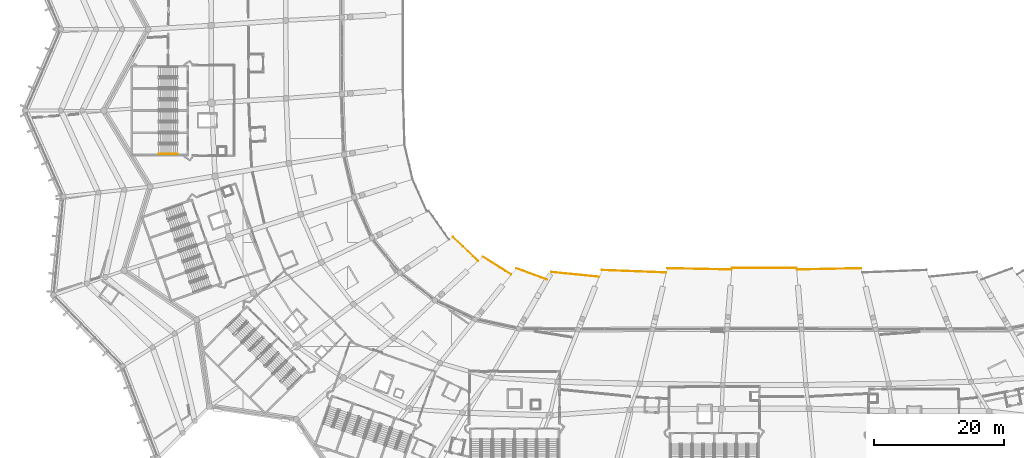
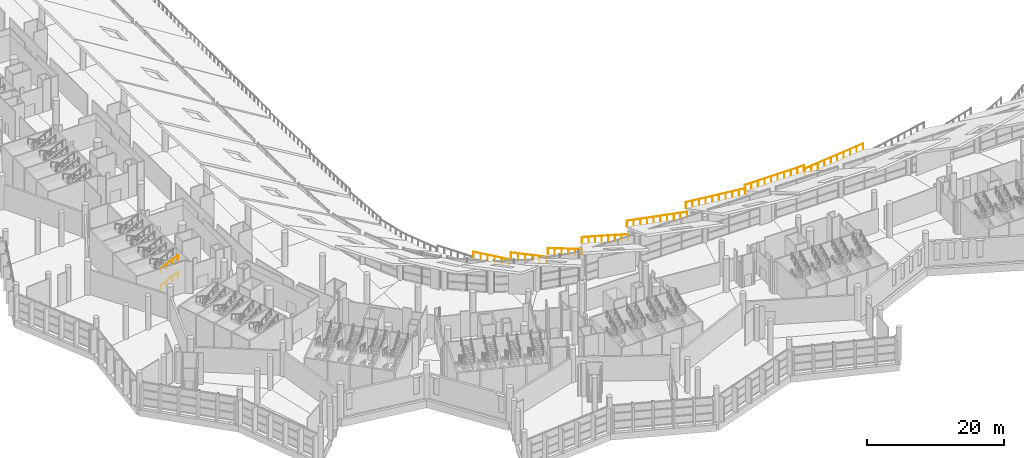
# One storey, part 208 of 249: 10 railings.
"""IFC4 building model written with IfcOpenShell, lengths in metres."""

from ifc_helpers import new_model, si_unit, direction, frame, origin, origin_2d, place, context, subcontext, project, spatial, circle, extrude, material, type_object, element, save


model = new_model("IFC4")

# Units and contexts
model_context = context("Model", 3, precision=1e-05, world=origin(), true_north=direction((0.0, 1.0)))
body_context = subcontext(model_context, "Body", "Model", "MODEL_VIEW")
ifc_project = project(units=[si_unit("LENGTHUNIT", "METRE"), si_unit("AREAUNIT", "SQUARE_METRE"), si_unit("VOLUMEUNIT", "CUBIC_METRE"), si_unit("PLANEANGLEUNIT", "RADIAN"), si_unit("MASSUNIT", "GRAM", prefix="KILO")], contexts=[model_context])

# Site, building, storey
site_placement = place(None, origin())
site = spatial("IfcSite", under=ifc_project, at=site_placement, CompositionType="ELEMENT")
building_placement = place(site_placement, origin())
building = spatial("IfcBuilding", under=site, at=building_placement, Name="Meseta Stadium", CompositionType="ELEMENT")
storey_placement = place(building_placement, frame((0.0, 0.0, 12.0)))
storey = spatial("IfcBuildingStorey", under=building, at=storey_placement, Name="L02", CompositionType="ELEMENT", Elevation=12.0)

# Railings
ifc_material_1 = material(Name="Steel S355", Category="steel")
railing_type_1 = type_object("IfcRailingType", Name="Stair handrail 900", PredefinedType="HANDRAIL", material=ifc_material_1)
for number, where, name in (
    (1, (-92.97998046875, -50.39990234375, 1.64990234375), "ST76 L02 handrail 2"),
    (2, (-92.97998046875, -50.39990234375, 4.64990234375), "ST76 L02 handrail 4"),
):
    element("IfcRailing", number, at=place(storey_placement, frame(where)), inside=storey, type_object=railing_type_1, Name=name, PredefinedType="HANDRAIL", context=body_context, shape_type="SweptSolid", body=[
        extrude(circle(Radius=0.02392578125, at=origin_2d()), frame((0.0, 0.0, 0.8759765625), z_axis=(0.905440498372, 0.0, 0.424473207528), x_axis=(0.0, 1.0, 0.0)), (0.0, 0.0, 1.0), 3.1806640625),
        extrude(circle(Radius=0.02099609375, at=origin_2d()), origin(), (0.0, 0.0, 1.0), 0.851806640625),
        extrude(circle(Radius=0.02099609375, at=origin_2d()), frame((0.9599609375, 0.0, 0.449951171875)), (0.0, 0.0, 1.0), 0.851806640625),
        extrude(circle(Radius=0.02099609375, at=origin_2d()), frame((1.919921875, 0.0, 0.900146484375)), (0.0, 0.0, 1.0), 0.851806640625),
        extrude(circle(Radius=0.02099609375, at=origin_2d()), frame((2.8798828125, 0.0, 1.35009765625)), (0.0, 0.0, 1.0), 0.851806640625),
    ])
ifc_material_2 = material(Name="Steel S355", Category="steel")
railing_type_2 = type_object("IfcRailingType", Name="Stand edge guard 1100", PredefinedType="GUARDRAIL", material=ifc_material_2)
railing_1_placement = place(storey_placement, frame((-47.803955078125, -63.16552734375, -0.6962890625)))
element("IfcRailing", 3, at=railing_1_placement, inside=storey, type_object=railing_type_2, Name="Stand upper tier front guard bay 41", PredefinedType="GUARDRAIL", context=body_context, shape_type="SweptSolid", body=[
    extrude(circle(Radius=0.02490234375, at=origin_2d()), frame((0.0, 0.0, 1.0751953125), z_axis=(0.722775533546, -0.685136691221, -0.090461275965), x_axis=(0.687957334408, 0.7257511323, 0.0)), (0.0, 0.0, 1.0), 5.33837890625),
    extrude(circle(Radius=0.02001953125, at=origin_2d()), origin(), (0.0, 0.0, 1.0), 1.050048828125),
    extrude(circle(Radius=0.02001953125, at=origin_2d()), frame((0.771728515625, -0.7314453125, -0.0966796875)), (0.0, 0.0, 1.0), 1.050048828125),
    extrude(circle(Radius=0.02001953125, at=origin_2d()), frame((1.54345703125, -1.462890625, -0.193115234375)), (0.0, 0.0, 1.0), 1.050048828125),
    extrude(circle(Radius=0.02001953125, at=origin_2d()), frame((2.31494140625, -2.194580078125, -0.289794921875)), (0.0, 0.0, 1.0), 1.050048828125),
    extrude(circle(Radius=0.02001953125, at=origin_2d()), frame((3.086669921875, -2.926025390625, -0.38623046875)), (0.0, 0.0, 1.0), 1.050048828125),
    extrude(circle(Radius=0.02001953125, at=origin_2d()), frame((3.8583984375, -3.657470703125, -0.48291015625)), (0.0, 0.0, 1.0), 1.050048828125),
])
railing_2_placement = place(storey_placement, frame((-43.232421875, -66.17041015625, -0.619140625)))
element("IfcRailing", 4, at=railing_2_placement, inside=storey, type_object=railing_type_2, Name="Stand upper tier front guard bay 42", PredefinedType="GUARDRAIL", context=body_context, shape_type="SweptSolid", body=[
    extrude(circle(Radius=0.02490234375, at=origin_2d()), frame((0.0, 0.0, 1.0751953125), z_axis=(0.841818734537, -0.525827302755, -0.121847715862), x_axis=(0.52977475675, 0.848138377336, 0.0)), (0.0, 0.0, 1.0), 5.2275390625),
    extrude(circle(Radius=0.02001953125, at=origin_2d()), origin(), (0.0, 0.0, 1.0), 1.050048828125),
    extrude(circle(Radius=0.02001953125, at=origin_2d()), frame((0.880126953125, -0.5498046875, -0.12744140625)), (0.0, 0.0, 1.0), 1.050048828125),
    extrude(circle(Radius=0.02001953125, at=origin_2d()), frame((1.76025390625, -1.099609375, -0.2548828125)), (0.0, 0.0, 1.0), 1.050048828125),
    extrude(circle(Radius=0.02001953125, at=origin_2d()), frame((2.640380859375, -1.649169921875, -0.382080078125)), (0.0, 0.0, 1.0), 1.050048828125),
    extrude(circle(Radius=0.02001953125, at=origin_2d()), frame((3.5205078125, -2.198974609375, -0.509521484375)), (0.0, 0.0, 1.0), 1.050048828125),
    extrude(circle(Radius=0.02001953125, at=origin_2d()), frame((4.400634765625, -2.748779296875, -0.636962890625)), (0.0, 0.0, 1.0), 1.050048828125),
])
railing_3_placement = place(storey_placement, frame((-38.063720703125, -67.967529296875, -0.547607421875)))
element("IfcRailing", 5, at=railing_3_placement, inside=storey, type_object=railing_type_2, Name="Stand upper tier front guard bay 43", PredefinedType="GUARDRAIL", context=body_context, shape_type="SweptSolid", body=[
    extrude(circle(Radius=0.02490234375, at=origin_2d()), frame((0.0, 0.0, 1.0751953125), z_axis=(0.927243693647, -0.341636295197, -0.153309407393), x_axis=(0.345723355199, 0.938336486379, 0.0)), (0.0, 0.0, 1.0), 5.089599609375),
    extrude(circle(Radius=0.02001953125, at=origin_2d()), origin(), (0.0, 0.0, 1.0), 1.050048828125),
    extrude(circle(Radius=0.02001953125, at=origin_2d()), frame((0.94384765625, -0.34765625, -0.156005859375)), (0.0, 0.0, 1.0), 1.050048828125),
    extrude(circle(Radius=0.02001953125, at=origin_2d()), frame((1.8876953125, -0.695556640625, -0.31201171875)), (0.0, 0.0, 1.0), 1.050048828125),
    extrude(circle(Radius=0.02001953125, at=origin_2d()), frame((2.83154296875, -1.043212890625, -0.46826171875)), (0.0, 0.0, 1.0), 1.050048828125),
    extrude(circle(Radius=0.02001953125, at=origin_2d()), frame((3.775390625, -1.39111328125, -0.624267578125)), (0.0, 0.0, 1.0), 1.050048828125),
    extrude(circle(Radius=0.02001953125, at=origin_2d()), frame((4.71923828125, -1.73876953125, -0.7802734375)), (0.0, 0.0, 1.0), 1.050048828125),
])
railing_4_placement = place(storey_placement, frame((-32.6708984375, -68.541259765625, -0.14013671875)))
element("IfcRailing", 6, at=railing_4_placement, inside=storey, type_object=railing_type_2, Name="Stand upper tier front guard bay 44", PredefinedType="GUARDRAIL", context=body_context, shape_type="SweptSolid", body=[
    extrude(circle(Radius=0.02490234375, at=origin_2d()), frame((0.0, 0.0, 1.0751953125), z_axis=(0.972509686186, -0.096881464205, -0.211751959067), x_axis=(0.099129377406, 0.995074553255, 0.0)), (0.0, 0.0, 1.0), 7.5322265625),
    extrude(circle(Radius=0.02001953125, at=origin_2d()), origin(), (0.0, 0.0, 1.0), 1.050048828125),
    extrude(circle(Radius=0.02001953125, at=origin_2d()), frame((1.04638671875, -0.104248046875, -0.227783203125)), (0.0, 0.0, 1.0), 1.050048828125),
    extrude(circle(Radius=0.02001953125, at=origin_2d()), frame((2.093017578125, -0.20849609375, -0.455810546875)), (0.0, 0.0, 1.0), 1.050048828125),
    extrude(circle(Radius=0.02001953125, at=origin_2d()), frame((3.139404296875, -0.312744140625, -0.68359375)), (0.0, 0.0, 1.0), 1.050048828125),
    extrude(circle(Radius=0.02001953125, at=origin_2d()), frame((4.185791015625, -0.4169921875, -0.911376953125)), (0.0, 0.0, 1.0), 1.050048828125),
    extrude(circle(Radius=0.02001953125, at=origin_2d()), frame((5.232177734375, -0.521240234375, -1.13916015625)), (0.0, 0.0, 1.0), 1.050048828125),
    extrude(circle(Radius=0.02001953125, at=origin_2d()), frame((6.27880859375, -0.62548828125, -1.3671875)), (0.0, 0.0, 1.0), 1.050048828125),
    extrude(circle(Radius=0.02001953125, at=origin_2d()), frame((7.3251953125, -0.729736328125, -1.594970703125)), (0.0, 0.0, 1.0), 1.050048828125),
])
railing_5_placement = place(storey_placement, frame((-24.934326171875, -68.234619140625, -0.117431640625)))
element("IfcRailing", 7, at=railing_5_placement, inside=storey, type_object=railing_type_2, Name="Stand upper tier front guard bay 45", PredefinedType="GUARDRAIL", context=body_context, shape_type="SweptSolid", body=[
    extrude(circle(Radius=0.02490234375, at=origin_2d()), frame((0.0, 0.0, 1.0751953125), z_axis=(0.98577854443, -0.038283607684, -0.163630763378), x_axis=(0.038806657248, 0.999246737975, 0.0)), (0.0, 0.0, 1.0), 10.02490234375),
    extrude(circle(Radius=0.02001953125, at=origin_2d()), origin(), (0.0, 0.0, 1.0), 1.050048828125),
    extrude(circle(Radius=0.02001953125, at=origin_2d()), frame((1.09814453125, -0.042724609375, -0.182373046875)), (0.0, 0.0, 1.0), 1.050048828125),
    extrude(circle(Radius=0.02001953125, at=origin_2d()), frame((2.196044921875, -0.085205078125, -0.364501953125)), (0.0, 0.0, 1.0), 1.050048828125),
    extrude(circle(Radius=0.02001953125, at=origin_2d()), frame((3.294189453125, -0.1279296875, -0.546875)), (0.0, 0.0, 1.0), 1.050048828125),
    extrude(circle(Radius=0.02001953125, at=origin_2d()), frame((4.39208984375, -0.170654296875, -0.72900390625)), (0.0, 0.0, 1.0), 1.050048828125),
    extrude(circle(Radius=0.02001953125, at=origin_2d()), frame((5.490234375, -0.213134765625, -0.911376953125)), (0.0, 0.0, 1.0), 1.050048828125),
    extrude(circle(Radius=0.02001953125, at=origin_2d()), frame((6.588134765625, -0.255859375, -1.093505859375)), (0.0, 0.0, 1.0), 1.050048828125),
    extrude(circle(Radius=0.02001953125, at=origin_2d()), frame((7.686279296875, -0.298583984375, -1.27587890625)), (0.0, 0.0, 1.0), 1.050048828125),
    extrude(circle(Radius=0.02001953125, at=origin_2d()), frame((8.7841796875, -0.341064453125, -1.4580078125)), (0.0, 0.0, 1.0), 1.050048828125),
    extrude(circle(Radius=0.02001953125, at=origin_2d()), frame((9.88232421875, -0.3837890625, -1.640380859375)), (0.0, 0.0, 1.0), 1.050048828125),
])
railing_6_placement = place(storey_placement, frame((-14.896484375, -67.964599609375, -0.5126953125)))
element("IfcRailing", 8, at=railing_6_placement, inside=storey, type_object=railing_type_2, Name="Stand upper tier front guard bay 46", PredefinedType="GUARDRAIL", context=body_context, shape_type="SweptSolid", body=[
    extrude(circle(Radius=0.02490234375, at=origin_2d()), frame((0.0, 0.0, 1.0751953125), z_axis=(0.996151682581, -0.019794016887, -0.085381626747), x_axis=(0.019866563188, 0.999802640358, 0.0)), (0.0, 0.0, 1.0), 9.95361328125),
    extrude(circle(Radius=0.02001953125, at=origin_2d()), origin(), (0.0, 0.0, 1.0), 1.050048828125),
    extrude(circle(Radius=0.02001953125, at=origin_2d()), frame((1.101806640625, -0.02197265625, -0.094482421875)), (0.0, 0.0, 1.0), 1.050048828125),
    extrude(circle(Radius=0.02001953125, at=origin_2d()), frame((2.203369140625, -0.043701171875, -0.18896484375)), (0.0, 0.0, 1.0), 1.050048828125),
    extrude(circle(Radius=0.02001953125, at=origin_2d()), frame((3.30517578125, -0.065673828125, -0.283203125)), (0.0, 0.0, 1.0), 1.050048828125),
    extrude(circle(Radius=0.02001953125, at=origin_2d()), frame((4.40673828125, -0.087646484375, -0.377685546875)), (0.0, 0.0, 1.0), 1.050048828125),
    extrude(circle(Radius=0.02001953125, at=origin_2d()), frame((5.508544921875, -0.109375, -0.47216796875)), (0.0, 0.0, 1.0), 1.050048828125),
    extrude(circle(Radius=0.02001953125, at=origin_2d()), frame((6.610107421875, -0.13134765625, -0.566650390625)), (0.0, 0.0, 1.0), 1.050048828125),
    extrude(circle(Radius=0.02001953125, at=origin_2d()), frame((7.7119140625, -0.1533203125, -0.660888671875)), (0.0, 0.0, 1.0), 1.050048828125),
    extrude(circle(Radius=0.02001953125, at=origin_2d()), frame((8.8134765625, -0.175048828125, -0.75537109375)), (0.0, 0.0, 1.0), 1.050048828125),
    extrude(circle(Radius=0.02001953125, at=origin_2d()), frame((9.915283203125, -0.197021484375, -0.849853515625)), (0.0, 0.0, 1.0), 1.050048828125),
])
railing_7_placement = place(storey_placement, frame((-4.962890625, -67.93310546875, -0.937744140625)))
element("IfcRailing", 9, at=railing_7_placement, inside=storey, type_object=railing_type_2, Name="Stand upper tier front guard bay 47", PredefinedType="GUARDRAIL", context=body_context, shape_type="SweptSolid", body=[
    extrude(circle(Radius=0.02490234375, at=origin_2d()), frame((0.0, 0.0, 1.0751953125), z_axis=(1.0, 0.0, 0.0), x_axis=(0.0, 1.0, 0.0)), (0.0, 0.0, 1.0), 9.92578125),
    extrude(circle(Radius=0.02001953125, at=origin_2d()), origin(), (0.0, 0.0, 1.0), 1.050048828125),
    extrude(circle(Radius=0.02001953125, at=origin_2d()), frame((1.102783203125, 0.0, 0.0)), (0.0, 0.0, 1.0), 1.050048828125),
    extrude(circle(Radius=0.02001953125, at=origin_2d()), frame((2.205810546875, 0.0, 0.0)), (0.0, 0.0, 1.0), 1.050048828125),
    extrude(circle(Radius=0.02001953125, at=origin_2d()), frame((3.30859375, 0.0, 0.0)), (0.0, 0.0, 1.0), 1.050048828125),
    extrude(circle(Radius=0.02001953125, at=origin_2d()), frame((4.411376953125, 0.0, 0.0)), (0.0, 0.0, 1.0), 1.050048828125),
    extrude(circle(Radius=0.02001953125, at=origin_2d()), frame((5.514404296875, 0.0, 0.0)), (0.0, 0.0, 1.0), 1.050048828125),
    extrude(circle(Radius=0.02001953125, at=origin_2d()), frame((6.6171875, 0.0, 0.0)), (0.0, 0.0, 1.0), 1.050048828125),
    extrude(circle(Radius=0.02001953125, at=origin_2d()), frame((7.719970703125, 0.0, 0.0)), (0.0, 0.0, 1.0), 1.050048828125),
    extrude(circle(Radius=0.02001953125, at=origin_2d()), frame((8.822998046875, 0.0, 0.0)), (0.0, 0.0, 1.0), 1.050048828125),
    extrude(circle(Radius=0.02001953125, at=origin_2d()), frame((9.92578125, 0.0, 0.0)), (0.0, 0.0, 1.0), 1.050048828125),
])
railing_8_placement = place(storey_placement, frame((4.981201171875, -68.16162109375, -1.362548828125)))
element("IfcRailing", 10, at=railing_8_placement, inside=storey, type_object=railing_type_2, Name="Stand upper tier front guard bay 48", PredefinedType="GUARDRAIL", context=body_context, shape_type="SweptSolid", body=[
    extrude(circle(Radius=0.02490234375, at=origin_2d()), frame((0.0, 0.0, 1.0751953125), z_axis=(0.996151682581, 0.019794016887, 0.085381626747), x_axis=(-0.019866563188, 0.999802640358, 0.0)), (0.0, 0.0, 1.0), 9.95361328125),
    extrude(circle(Radius=0.02001953125, at=origin_2d()), origin(), (0.0, 0.0, 1.0), 1.050048828125),
    extrude(circle(Radius=0.02001953125, at=origin_2d()), frame((1.101806640625, 0.02197265625, 0.094482421875)), (0.0, 0.0, 1.0), 1.050048828125),
    extrude(circle(Radius=0.02001953125, at=origin_2d()), frame((2.203369140625, 0.043701171875, 0.18896484375)), (0.0, 0.0, 1.0), 1.050048828125),
    extrude(circle(Radius=0.02001953125, at=origin_2d()), frame((3.30517578125, 0.065673828125, 0.283203125)), (0.0, 0.0, 1.0), 1.050048828125),
    extrude(circle(Radius=0.02001953125, at=origin_2d()), frame((4.40673828125, 0.087646484375, 0.377685546875)), (0.0, 0.0, 1.0), 1.050048828125),
    extrude(circle(Radius=0.02001953125, at=origin_2d()), frame((5.508544921875, 0.109375, 0.47216796875)), (0.0, 0.0, 1.0), 1.050048828125),
    extrude(circle(Radius=0.02001953125, at=origin_2d()), frame((6.610107421875, 0.13134765625, 0.566650390625)), (0.0, 0.0, 1.0), 1.050048828125),
    extrude(circle(Radius=0.02001953125, at=origin_2d()), frame((7.7119140625, 0.1533203125, 0.660888671875)), (0.0, 0.0, 1.0), 1.050048828125),
    extrude(circle(Radius=0.02001953125, at=origin_2d()), frame((8.8134765625, 0.175048828125, 0.75537109375)), (0.0, 0.0, 1.0), 1.050048828125),
    extrude(circle(Radius=0.02001953125, at=origin_2d()), frame((9.915283203125, 0.197021484375, 0.849853515625)), (0.0, 0.0, 1.0), 1.050048828125),
])

save(model, "model.ifc")
